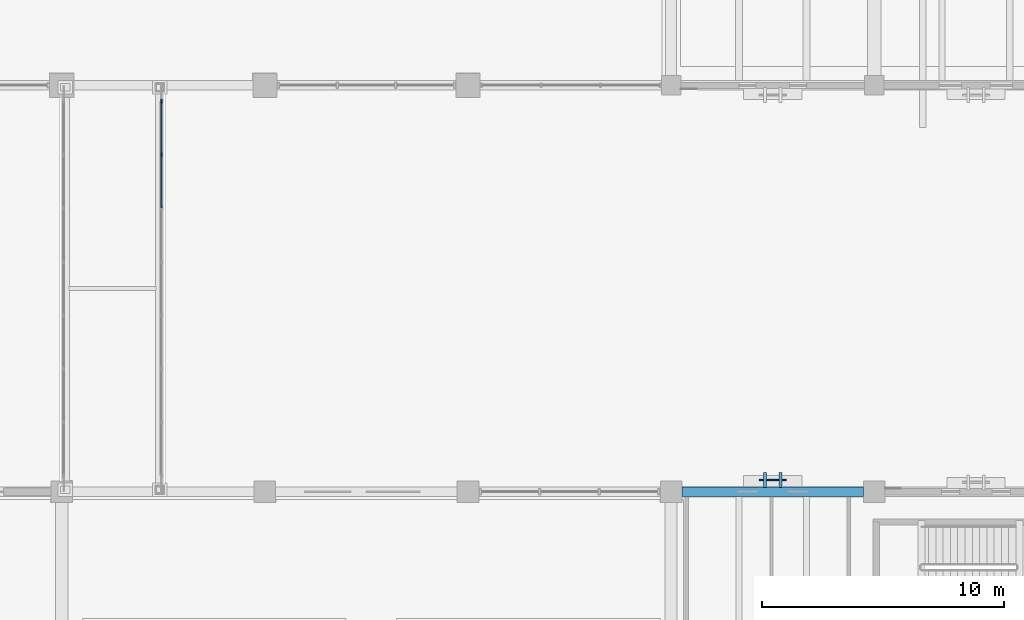
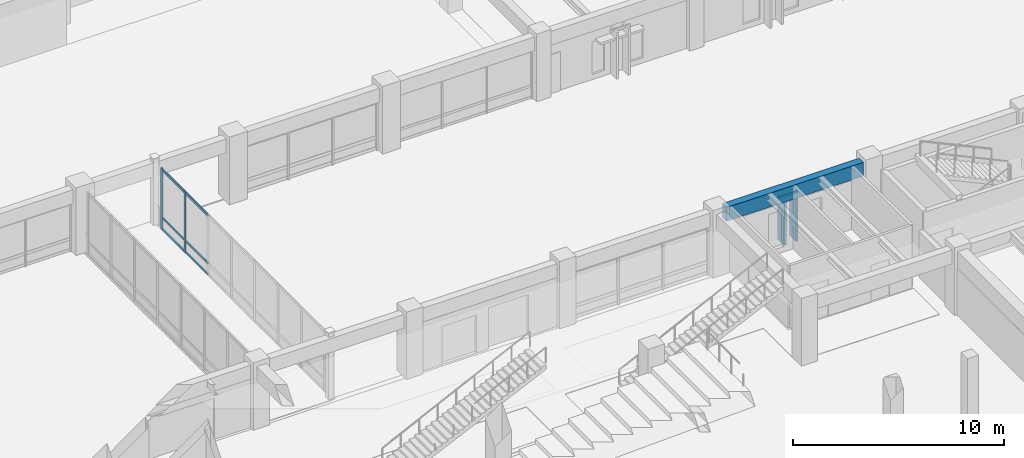
# One storey, part 39 of 135: 11 members, 1 beam, 2 elements without a shape of their own.
"""IFC4 building model written with IfcOpenShell, lengths in metres."""

from ifc_helpers import new_model, si_unit, direction, frame, origin, origin_2d, place, context, subcontext, project, spatial, rectangle, extrude, material, material_profile, profile_set, type_object, element, aggregate, save


model = new_model("IFC4")

# Units and contexts
model_context = context("Model", 3, precision=1e-05, world=origin(), true_north=direction((0.0, 1.0)))
body_context = subcontext(model_context, "Body", "Model", "MODEL_VIEW")
ifc_project = project(units=[si_unit("LENGTHUNIT", "METRE"), si_unit("AREAUNIT", "SQUARE_METRE"), si_unit("VOLUMEUNIT", "CUBIC_METRE"), si_unit("PLANEANGLEUNIT", "RADIAN"), si_unit("MASSUNIT", "GRAM", prefix="KILO")], contexts=[model_context])

# Site, building, storey
site_placement = place(None, origin())
site = spatial("IfcSite", under=ifc_project, at=site_placement, CompositionType="ELEMENT")
building_placement = place(site_placement, origin())
building = spatial("IfcBuilding", under=site, at=building_placement, Name="Cumbredor Promenade Congress Hotel", CompositionType="ELEMENT")
storey_placement = place(building_placement, origin())
storey = spatial("IfcBuildingStorey", under=building, at=storey_placement, Name="L00", CompositionType="ELEMENT", Elevation=0.0)

# Curtain wall, members
ifc_material_1 = material(Name="Thermally broken anodized aluminium and low-E glass", Category="aluminium")
curtain_wall_type_1 = type_object("IfcCurtainWallType", Name="Unitised Bridge Glazing Screen CW-05", PredefinedType="NOTDEFINED", material=ifc_material_1)
curtain_wall_1_placement = place(storey_placement, origin())
curtain_wall_1 = element("IfcCurtainWall", 1, at=curtain_wall_1_placement, inside=storey, type_object=curtain_wall_type_1, Name="L00 West Congress-to-Hotel Glazed Bridge East Glazing Screen", PredefinedType="NOTDEFINED")
ifc_material_2 = material(Name="Thermally broken anodized aluminium", Category="aluminium")
ifc_material_profile_1 = material_profile(ifc_material_2, rectangle(XDim=0.06494140625, YDim=0.159912109375, at=origin_2d()), Name="ALU MULLION 65x160")
ifc_profile_set_1 = profile_set([ifc_material_profile_1], Name="Thermally broken anodized aluminium")
member_type_1 = type_object("IfcMemberType", Name="Curtain Wall Mullion ML-01", PredefinedType="MULLION", material=ifc_profile_set_1)
member_1_placement = place(storey_placement, frame((29.320068359375, 81.128662109375, -0.008056640625), z_axis=(0.0, 0.0, 1.0), x_axis=(1.0, 0.0, 0.0)))
member_1 = element("IfcMember", 2, at=member_1_placement, type_object=member_type_1, Name="L00 West Congress-to-Hotel Glazed Bridge East Glazing Screen Mullion 7", PredefinedType="MULLION", context=body_context, shape_type="SweptSolid", body=[
    extrude(rectangle(XDim=0.06494140625, YDim=0.159912109375, at=origin_2d()), origin(), (0.0, 0.0, 1.0), 3.55615234375),
])
member_2_placement = place(storey_placement, frame((29.320068359375, 83.340087890625, -0.008056640625), z_axis=(0.0, 0.0, 1.0), x_axis=(1.0, 0.0, 0.0)))
member_2 = element("IfcMember", 3, at=member_2_placement, type_object=member_type_1, Name="L00 West Congress-to-Hotel Glazed Bridge East Glazing Screen Mullion 8", PredefinedType="MULLION", context=body_context, shape_type="SweptSolid", body=[
    extrude(rectangle(XDim=0.06494140625, YDim=0.159912109375, at=origin_2d()), origin(), (0.0, 0.0, 1.0), 3.55615234375),
])

# Curtain wall, member
curtain_wall_type_2 = type_object("IfcCurtainWallType", Name="Solar Brise-Soleil Screen Assembly CW-07", PredefinedType="NOTDEFINED", material=ifc_material_1)
curtain_wall_2_placement = place(storey_placement, origin())
curtain_wall_2 = element("IfcCurtainWall", 4, at=curtain_wall_2_placement, inside=storey, type_object=curtain_wall_type_2, Name="L00 Pier Brise-Soleil Screen 0013", PredefinedType="NOTDEFINED")
ifc_material_profile_2 = material_profile(ifc_material_2, rectangle(XDim=0.06494140625, YDim=0.1298828125, at=origin_2d()), Name="ALU TRANSOM 65x130")
ifc_profile_set_2 = profile_set([ifc_material_profile_2], Name="Thermally broken anodized aluminium")
member_type_2 = type_object("IfcMemberType", Name="Curtain Wall Transom TR-01", PredefinedType="USERDEFINED", material=ifc_profile_set_2)
member_3_placement = place(storey_placement, frame((54.050048828125, 67.68505859375, 2.6650390625), z_axis=(1.0, 0.0, 0.0), x_axis=(0.0, 1.0, 0.0)))
member_3 = element("IfcMember", 5, at=member_3_placement, type_object=member_type_2, Name="L00 Pier Brise-Soleil Header 0015", ObjectType="TRANSOM", PredefinedType="USERDEFINED", context=body_context, shape_type="SweptSolid", body=[
    extrude(rectangle(XDim=0.06494140625, YDim=0.1298828125, at=origin_2d()), origin(), (0.0, 0.0, 1.0), 1.099853515625),
])

# Member
member_4_placement = place(storey_placement, frame((29.320068359375, 78.94970703125, 0.070068359375), z_axis=(0.0, 1.0, 0.0), x_axis=(-1.0, 0.0, 0.0)))
member_4 = element("IfcMember", 6, at=member_4_placement, type_object=member_type_2, Name="L00 West Congress-to-Hotel Glazed Bridge East Glazing Screen Transom 6.1", ObjectType="TRANSOM", PredefinedType="USERDEFINED", context=body_context, shape_type="SweptSolid", body=[
    extrude(rectangle(XDim=0.06494140625, YDim=0.1298828125, at=origin_2d()), origin(), (0.0, 0.0, 1.0), 2.146484375),
])

member_5_placement = place(storey_placement, frame((29.320068359375, 78.94970703125, 0.719970703125), z_axis=(0.0, 1.0, 0.0), x_axis=(-1.0, 0.0, 0.0)))
member_5 = element("IfcMember", 7, at=member_5_placement, type_object=member_type_2, Name="L00 West Congress-to-Hotel Glazed Bridge East Glazing Screen Transom 6.2", ObjectType="TRANSOM", PredefinedType="USERDEFINED", context=body_context, shape_type="SweptSolid", body=[
    extrude(rectangle(XDim=0.06494140625, YDim=0.1298828125, at=origin_2d()), origin(), (0.0, 0.0, 1.0), 2.146484375),
])

member_6_placement = place(storey_placement, frame((29.320068359375, 78.94970703125, 3.47998046875), z_axis=(0.0, 1.0, 0.0), x_axis=(-1.0, 0.0, 0.0)))
member_6 = element("IfcMember", 8, at=member_6_placement, type_object=member_type_2, Name="L00 West Congress-to-Hotel Glazed Bridge East Glazing Screen Transom 6.3", ObjectType="TRANSOM", PredefinedType="USERDEFINED", context=body_context, shape_type="SweptSolid", body=[
    extrude(rectangle(XDim=0.06494140625, YDim=0.1298828125, at=origin_2d()), origin(), (0.0, 0.0, 1.0), 2.146484375),
])

member_7_placement = place(storey_placement, frame((29.320068359375, 81.1611328125, 0.070068359375), z_axis=(0.0, 1.0, 0.0), x_axis=(-1.0, 0.0, 0.0)))
member_7 = element("IfcMember", 9, at=member_7_placement, type_object=member_type_2, Name="L00 West Congress-to-Hotel Glazed Bridge East Glazing Screen Transom 7.1", ObjectType="TRANSOM", PredefinedType="USERDEFINED", context=body_context, shape_type="SweptSolid", body=[
    extrude(rectangle(XDim=0.06494140625, YDim=0.1298828125, at=origin_2d()), origin(), (0.0, 0.0, 1.0), 2.146484375),
])

member_8_placement = place(storey_placement, frame((29.320068359375, 81.1611328125, 0.719970703125), z_axis=(0.0, 1.0, 0.0), x_axis=(-1.0, 0.0, 0.0)))
member_8 = element("IfcMember", 10, at=member_8_placement, type_object=member_type_2, Name="L00 West Congress-to-Hotel Glazed Bridge East Glazing Screen Transom 7.2", ObjectType="TRANSOM", PredefinedType="USERDEFINED", context=body_context, shape_type="SweptSolid", body=[
    extrude(rectangle(XDim=0.06494140625, YDim=0.1298828125, at=origin_2d()), origin(), (0.0, 0.0, 1.0), 2.146484375),
])

member_9_placement = place(storey_placement, frame((29.320068359375, 81.1611328125, 3.47998046875), z_axis=(0.0, 1.0, 0.0), x_axis=(-1.0, 0.0, 0.0)))
member_9 = element("IfcMember", 11, at=member_9_placement, type_object=member_type_2, Name="L00 West Congress-to-Hotel Glazed Bridge East Glazing Screen Transom 7.3", ObjectType="TRANSOM", PredefinedType="USERDEFINED", context=body_context, shape_type="SweptSolid", body=[
    extrude(rectangle(XDim=0.06494140625, YDim=0.1298828125, at=origin_2d()), origin(), (0.0, 0.0, 1.0), 2.146484375),
])

aggregate(curtain_wall_1, [member_1, member_2, member_4, member_5, member_6, member_7, member_8, member_9])

# Beam
ifc_material_3 = material(Name="Concrete C40/50", Category="concrete")
ifc_material_profile_3 = material_profile(ifc_material_3, rectangle(XDim=0.39990234375, YDim=0.800048828125, at=origin_2d()), Name="RC SPANDREL 400x800")
ifc_profile_set_3 = profile_set([ifc_material_profile_3], Name="Concrete C40/50")
beam_type = type_object("IfcBeamType", Name="SP-RC-400x800", PredefinedType="SPANDREL", material=ifc_profile_set_3)
beam_placement = place(storey_placement, frame((50.85009765625, 67.199951171875, 3.239990234375), z_axis=(1.0, 0.0, 0.0), x_axis=(0.0, 1.0, 0.0)))
element("IfcBeam", 12, at=beam_placement, inside=storey, type_object=beam_type, Name="L01 X-Grid Beam 077", PredefinedType="SPANDREL", context=body_context, shape_type="SweptSolid", body=[
    extrude(rectangle(XDim=0.39990234375, YDim=0.800048828125, at=origin_2d()), origin(), (0.0, 0.0, 1.0), 7.5),
])

# Member
ifc_material_profile_4 = material_profile(ifc_material_2, rectangle(XDim=0.110107421875, YDim=0.6201171875, at=origin_2d()), Name="ARCH FIN 110x620")
ifc_profile_set_4 = profile_set([ifc_material_profile_4], Name="Thermally broken anodized aluminium")
member_type_3 = type_object("IfcMemberType", Name="Vertical Bronze Brise-Soleil Fin BSF-02 110x620", PredefinedType="USERDEFINED", material=ifc_profile_set_4)
member_10_placement = place(storey_placement, frame((54.280029296875, 67.68505859375, 0.02001953125), z_axis=(0.0, 0.0, 1.0), x_axis=(1.0, 0.0, 0.0)))
member_10 = element("IfcMember", 13, at=member_10_placement, type_object=member_type_3, Name="L00 Pier Brise-Soleil Fin 0014", ObjectType="SOLAR FIN", PredefinedType="USERDEFINED", context=body_context, shape_type="SweptSolid", body=[
    extrude(rectangle(XDim=0.110107421875, YDim=0.6201171875, at=origin_2d()), origin(), (0.0, 0.0, 1.0), 2.68505859375),
])

member_11_placement = place(storey_placement, frame((54.919921875, 67.68505859375, 0.02001953125), z_axis=(0.0, 0.0, 1.0), x_axis=(1.0, 0.0, 0.0)))
member_11 = element("IfcMember", 14, at=member_11_placement, type_object=member_type_3, Name="L00 Pier Brise-Soleil Fin 0015", ObjectType="SOLAR FIN", PredefinedType="USERDEFINED", context=body_context, shape_type="SweptSolid", body=[
    extrude(rectangle(XDim=0.110107421875, YDim=0.6201171875, at=origin_2d()), origin(), (0.0, 0.0, 1.0), 2.68505859375),
])

aggregate(curtain_wall_2, [member_10, member_11, member_3])

save(model, "model.ifc")
